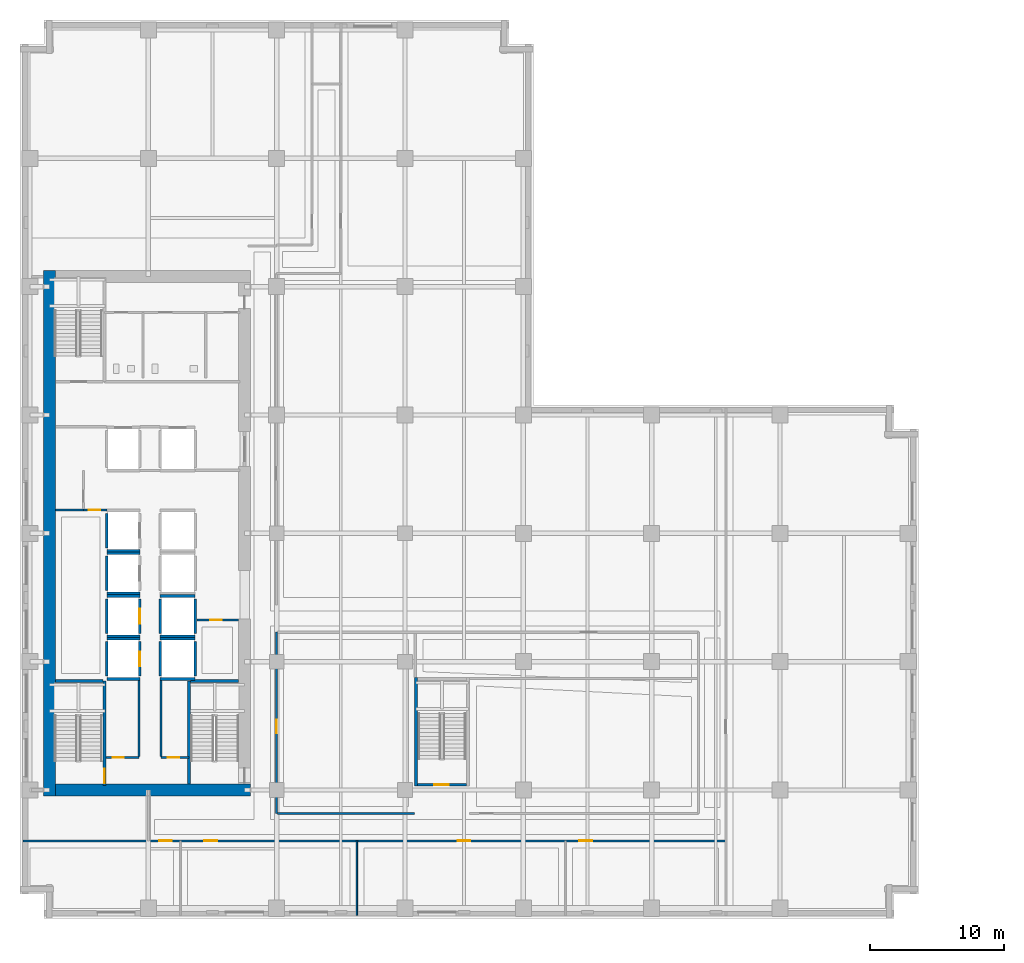
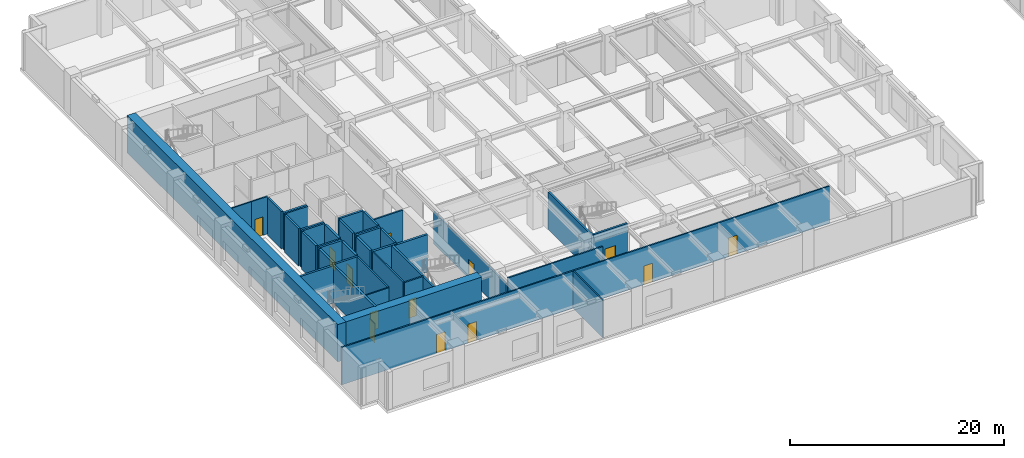
# One storey, part 5 of 24: 40 walls, 13 doors, 13 openings.
"""IFC4 building model written with IfcOpenShell, lengths in metres."""

from ifc_helpers import new_model, si_unit, direction, frame, frame_2d, origin, place, context, subcontext, project, spatial, rectangle, extrude, material, layer, layer_set, type_object, element, fill, save


model = new_model("IFC4")

# Units and contexts
model_context = context("Model", 3, precision=1e-05, world=origin(), true_north=direction((0.0, 1.0)))
body_context = subcontext(model_context, "Body", "Model", "MODEL_VIEW")
ifc_project = project(units=[si_unit("LENGTHUNIT", "METRE"), si_unit("AREAUNIT", "SQUARE_METRE"), si_unit("VOLUMEUNIT", "CUBIC_METRE"), si_unit("PLANEANGLEUNIT", "RADIAN"), si_unit("MASSUNIT", "GRAM", prefix="KILO")], contexts=[model_context])

# Site, building, storey
site_placement = place(None, origin())
site = spatial("IfcSite", under=ifc_project, at=site_placement, CompositionType="ELEMENT")
building_placement = place(site_placement, origin())
building = spatial("IfcBuilding", under=site, at=building_placement, Name="Norrvale University Quadrangle", CompositionType="ELEMENT")
storey_placement = place(building_placement, frame((0.0, 0.0, 10.39990234375)))
storey = spatial("IfcBuildingStorey", under=building, at=storey_placement, Name="L02", CompositionType="ELEMENT", Elevation=10.39990234375)

# Walls
ifc_material_1 = material(Name="Concrete C80/95", Category="concrete")
ifc_layer_1 = layer(ifc_material_1, 0.89990234375, Name="Concrete C80/95")
ifc_layer_set_1 = layer_set([ifc_layer_1], Name="Concrete C80/95")
wall_type_1 = type_object("IfcWallType", Name="Wall Core 900", PredefinedType="SHEAR", material=ifc_layer_set_1)
wall_1_placement = place(storey_placement, frame((2.64990234375, 9.60009765625, 0.0), z_axis=(0.0, 0.0, 1.0), x_axis=(1.0, 0.0, 0.0)))
element("IfcWall", 1, at=wall_1_placement, inside=storey, type_object=wall_type_1, Name="Tower Core Shear Wall L02-S", PredefinedType="SHEAR", context=body_context, shape_type="SweptSolid", body=[
    extrude(rectangle(XDim=14.60009765625, YDim=0.89990234375, at=frame_2d((7.300048828125, 0.0))), origin(), (0.0, 0.0, 1.0), 4.260009765625),
])
wall_2_placement = place(storey_placement, frame((2.199951171875, 9.14990234375, 0.0), z_axis=(0.0, 0.0, 1.0), x_axis=(0.0, 1.0, 0.0)))
element("IfcWall", 2, at=wall_2_placement, inside=storey, type_object=wall_type_1, Name="Tower Core Shear Wall L02-W", PredefinedType="SHEAR", context=body_context, shape_type="SweptSolid", body=[
    extrude(rectangle(XDim=39.300048828125, YDim=0.89990234375, at=frame_2d((19.64990234375, 0.0))), origin(), (0.0, 0.0, 1.0), 4.260009765625),
])
ifc_material_2 = material(Name="Standard Academic Gypsum Partition")
ifc_layer_2 = layer(ifc_material_2, 0.125, Name="Standard Academic Gypsum Partition")
ifc_layer_set_2 = layer_set([ifc_layer_2], Name="Standard Academic Gypsum Partition")
wall_type_2 = type_object("IfcWallType", Name="Wall Gypsum Academic 125", PredefinedType="PARTITIONING", material=ifc_layer_set_2)
wall_3_placement = place(storey_placement, frame((25.199951171875, 0.219970703125, 0.0), z_axis=(0.0, 0.0, 1.0), x_axis=(0.0, 1.0, 0.0)))
element("IfcWall", 3, at=wall_3_placement, inside=storey, type_object=wall_type_2, Name="Interior Partition WL-L02-SP02", PredefinedType="PARTITIONING", context=body_context, shape_type="SweptSolid", body=[
    extrude(rectangle(XDim=5.580078125, YDim=0.125, at=frame_2d((2.7900390625, 0.0))), origin(), (0.0, 0.0, 1.0), 4.260009765625),
])

# Wall, opening, door
ifc_material_3 = material(Name="Fire-Rated Gypsum Stud Partition")
ifc_layer_3 = layer(ifc_material_3, 0.14990234375, Name="Fire-Rated Gypsum Stud Partition")
ifc_layer_set_3 = layer_set([ifc_layer_3], Name="Fire-Rated Gypsum Stud Partition")
wall_type_3 = type_object("IfcWallType", Name="Wall Gypsum Corridor 150", PredefinedType="PARTITIONING", material=ifc_layer_set_3)
wall_4_placement = place(storey_placement, frame((6.419921875, 12.02001953125, 0.0), z_axis=(0.0, 0.0, 1.0), x_axis=(1.0, 0.0, 0.0)))
wall_4 = element("IfcWall", 4, at=wall_4_placement, inside=storey, type_object=wall_type_3, Name="Interior Partition WL-L02-SC-NL", PredefinedType="PARTITIONING", context=body_context, shape_type="SweptSolid", body=[
    extrude(rectangle(XDim=2.47998046875, YDim=0.14990234375, at=frame_2d((1.239990234375, 0.0))), origin(), (0.0, 0.0, 1.0), 4.260009765625),
])
opening_1_placement = place(wall_4_placement, frame((0.5, 0.0, 0.0)))
opening_1 = element("IfcOpeningElement", 5, at=opening_1_placement, cuts=wall_4, Name="Opening D10", PredefinedType="OPENING", context=body_context, shape_type="SweptSolid", body=[
    extrude(rectangle(XDim=0.85009765625, YDim=2.10009765625, at=frame_2d((0.425048828125, 1.050048828125))), frame((0.0, 0.0869140625, 0.0), z_axis=(0.0, -1.0, 0.0), x_axis=(1.0, 0.0, 0.0)), (0.0, 0.0, 1.0), 0.173828125),
])
ifc_material_4 = material(Name="Hollow Steel 350W Riser Fire Door", Category="steel")
door_type_1 = type_object("IfcDoorType", Name="Door Riser 850x2100", OperationType="NOTDEFINED", PredefinedType="DOOR", material=ifc_material_4)
door_1_placement = place(opening_1_placement, origin())
door_1 = element("IfcDoor", 6, at=door_1_placement, inside=storey, type_object=door_type_1, Name="Door Riser 850x2100 DR-L02-ELEC", OperationType="SINGLE_SWING_LEFT", OverallHeight=2.10009765625, OverallWidth=0.85009765625, PredefinedType="DOOR", context=body_context, shape_type="SweptSolid", body=[
    extrude(rectangle(XDim=0.85009765625, YDim=2.10009765625, at=frame_2d((0.425048828125, 1.050048828125))), frame((0.0, 0.02490234375, 0.0), z_axis=(0.0, -1.0, 0.0), x_axis=(1.0, 0.0, 0.0)), (0.0, 0.0, 1.0), 0.050048828125),
])
fill(opening_1, door_1)

wall_5_placement = place(storey_placement, frame((10.550048828125, 12.02001953125, 0.0), z_axis=(0.0, 0.0, 1.0), x_axis=(1.0, 0.0, 0.0)))
wall_5 = element("IfcWall", 7, at=wall_5_placement, inside=storey, type_object=wall_type_3, Name="Interior Partition WL-L02-SC-NR", PredefinedType="PARTITIONING", context=body_context, shape_type="SweptSolid", body=[
    extrude(rectangle(XDim=2.079833984375, YDim=0.14990234375, at=frame_2d((1.0400390625, 0.0))), origin(), (0.0, 0.0, 1.0), 4.260009765625),
])
opening_2_placement = place(wall_5_placement, frame((0.5, 0.0, 0.0)))
opening_2 = element("IfcOpeningElement", 8, at=opening_2_placement, cuts=wall_5, Name="Opening D10", PredefinedType="OPENING", context=body_context, shape_type="SweptSolid", body=[
    extrude(rectangle(XDim=0.85009765625, YDim=2.10009765625, at=frame_2d((0.425048828125, 1.050048828125))), frame((0.0, 0.0869140625, 0.0), z_axis=(0.0, -1.0, 0.0), x_axis=(1.0, 0.0, 0.0)), (0.0, 0.0, 1.0), 0.173828125),
])
door_2_placement = place(opening_2_placement, origin())
door_2 = element("IfcDoor", 9, at=door_2_placement, inside=storey, type_object=door_type_1, Name="Door Riser 850x2100 DR-L02-IDF", OperationType="SINGLE_SWING_RIGHT", OverallHeight=2.10009765625, OverallWidth=0.85009765625, PredefinedType="DOOR", context=body_context, shape_type="SweptSolid", body=[
    extrude(rectangle(XDim=0.85009765625, YDim=2.10009765625, at=frame_2d((0.425048828125, 1.050048828125))), frame((0.0, 0.02490234375, 0.0), z_axis=(0.0, -1.0, 0.0), x_axis=(1.0, 0.0, 0.0)), (0.0, 0.0, 1.0), 0.050048828125),
])
fill(opening_2, door_2)

# Walls
for number, where, z_axis, x_axis, name in (
    (10, (8.89990234375, 12.094970703125, 0.0), (0.0, 0.0, 1.0), (0.0, 1.0, 0.0), "Interior Partition WL-L02-SC-WL"),
    (11, (10.550048828125, 12.094970703125, 0.0), (0.0, 0.0, 1.0), (0.0, 1.0, 0.0), "Interior Partition WL-L02-SC-WR"),
):
    element("IfcWall", number, at=place(storey_placement, frame(where, z_axis=z_axis, x_axis=x_axis)), inside=storey, type_object=wall_type_3, Name=name, PredefinedType="PARTITIONING", context=body_context, shape_type="SweptSolid", body=[
        extrude(rectangle(XDim=5.679931640625, YDim=0.14990234375, at=frame_2d((2.83984375, 0.0))), origin(), (0.0, 0.0, 1.0), 4.260009765625),
    ])

# Wall, opening, door
wall_6_placement = place(storey_placement, frame((13.22509765625, 22.320068359375, 0.0), z_axis=(0.0, 0.0, 1.0), x_axis=(1.0, 0.0, 0.0)))
wall_6 = element("IfcWall", 12, at=wall_6_placement, inside=storey, type_object=wall_type_3, Name="Interior Partition WL-L02-JAN-N", PredefinedType="PARTITIONING", context=body_context, shape_type="SweptSolid", body=[
    extrude(rectangle(XDim=3.119873046875, YDim=0.14990234375, at=frame_2d((1.56005859375, 0.0))), origin(), (0.0, 0.0, 1.0), 4.260009765625),
])
opening_3_placement = place(wall_6_placement, frame((1.0, 0.0, 0.0)))
opening_3 = element("IfcOpeningElement", 13, at=opening_3_placement, cuts=wall_6, Name="Opening D10", PredefinedType="OPENING", context=body_context, shape_type="SweptSolid", body=[
    extrude(rectangle(XDim=0.85009765625, YDim=2.10009765625, at=frame_2d((0.425048828125, 1.050048828125))), frame((0.0, 0.0869140625, 0.0), z_axis=(0.0, -1.0, 0.0), x_axis=(1.0, 0.0, 0.0)), (0.0, 0.0, 1.0), 0.173828125),
])
door_3_placement = place(opening_3_placement, origin())
door_3 = element("IfcDoor", 14, at=door_3_placement, inside=storey, type_object=door_type_1, Name="Door Riser 850x2100 DR-L02-JAN", OperationType="SINGLE_SWING_LEFT", OverallHeight=2.10009765625, OverallWidth=0.85009765625, PredefinedType="DOOR", context=body_context, shape_type="SweptSolid", body=[
    extrude(rectangle(XDim=0.85009765625, YDim=2.10009765625, at=frame_2d((0.425048828125, 1.050048828125))), frame((0.0, 0.02490234375, 0.0), z_axis=(0.0, -1.0, 0.0), x_axis=(1.0, 0.0, 0.0)), (0.0, 0.0, 1.0), 0.050048828125),
])
fill(opening_3, door_3)

wall_7_placement = place(storey_placement, frame((4.760009765625, 30.550048828125, 0.0), z_axis=(0.0, 0.0, 1.0), x_axis=(1.0, 0.0, 0.0)))
wall_7 = element("IfcWall", 15, at=wall_7_placement, inside=storey, type_object=wall_type_3, Name="Interior Partition WL-L02-WST-N", PredefinedType="PARTITIONING", context=body_context, shape_type="SweptSolid", body=[
    extrude(rectangle(XDim=1.760009765625, YDim=0.14990234375, at=frame_2d((0.8798828125, 0.0))), origin(), (0.0, 0.0, 1.0), 4.260009765625),
])
opening_4_placement = place(wall_7_placement, frame((0.39990234375, 0.0, 0.0)))
opening_4 = element("IfcOpeningElement", 16, at=opening_4_placement, cuts=wall_7, Name="Opening D10", PredefinedType="OPENING", context=body_context, shape_type="SweptSolid", body=[
    extrude(rectangle(XDim=0.85009765625, YDim=2.10009765625, at=frame_2d((0.425048828125, 1.050048828125))), frame((0.0, 0.0869140625, 0.0), z_axis=(0.0, -1.0, 0.0), x_axis=(1.0, 0.0, 0.0)), (0.0, 0.0, 1.0), 0.173828125),
])
door_4_placement = place(opening_4_placement, origin())
door_4 = element("IfcDoor", 17, at=door_4_placement, inside=storey, type_object=door_type_1, Name="Door Riser 850x2100 DR-L02-WST", OperationType="SINGLE_SWING_RIGHT", OverallHeight=2.10009765625, OverallWidth=0.85009765625, PredefinedType="DOOR", context=body_context, shape_type="SweptSolid", body=[
    extrude(rectangle(XDim=0.85009765625, YDim=2.10009765625, at=frame_2d((0.425048828125, 1.050048828125))), frame((0.0, 0.02490234375, 0.0), z_axis=(0.0, -1.0, 0.0), x_axis=(1.0, 0.0, 0.0)), (0.0, 0.0, 1.0), 0.050048828125),
])
fill(opening_4, door_4)

# Wall
wall_8_placement = place(storey_placement, frame((2.64990234375, 30.550048828125, 0.0), z_axis=(0.0, 0.0, 1.0), x_axis=(1.0, 0.0, 0.0)))
element("IfcWall", 18, at=wall_8_placement, inside=storey, type_object=wall_type_3, Name="Interior Partition WL-L02-WST-N2", PredefinedType="PARTITIONING", context=body_context, shape_type="SweptSolid", body=[
    extrude(rectangle(XDim=2.110107421875, YDim=0.14990234375, at=frame_2d((1.05517578125, 0.0))), origin(), (0.0, 0.0, 1.0), 4.260009765625),
])

# Wall, openings, doors
wall_9_placement = place(storey_placement, frame((0.219970703125, 5.800048828125, 0.0), z_axis=(0.0, 0.0, 1.0), x_axis=(1.0, 0.0, 0.0)))
wall_9 = element("IfcWall", 19, at=wall_9_placement, inside=storey, type_object=wall_type_3, Name="Interior Partition WL-L02-SCW", PredefinedType="PARTITIONING", context=body_context, shape_type="SweptSolid", body=[
    extrude(rectangle(XDim=52.580078125, YDim=0.14990234375, at=frame_2d((26.2900390625, 0.0))), origin(), (0.0, 0.0, 1.0), 4.260009765625),
])
opening_5_placement = place(wall_9_placement, frame((10.179931640625, 0.0, 0.0)))
opening_5 = element("IfcOpeningElement", 20, at=opening_5_placement, cuts=wall_9, Name="Opening D07", PredefinedType="OPENING", context=body_context, shape_type="SweptSolid", body=[
    extrude(rectangle(XDim=0.949951171875, YDim=2.14990234375, at=frame_2d((0.47509765625, 1.074951171875))), frame((0.0, 0.0869140625, 0.0), z_axis=(0.0, -1.0, 0.0), x_axis=(1.0, 0.0, 0.0)), (0.0, 0.0, 1.0), 0.173828125),
])
opening_6_placement = place(wall_9_placement, frame((13.580078125, 0.0, 0.0)))
opening_6 = element("IfcOpeningElement", 21, at=opening_6_placement, cuts=wall_9, Name="Opening D07", PredefinedType="OPENING", context=body_context, shape_type="SweptSolid", body=[
    extrude(rectangle(XDim=0.949951171875, YDim=2.14990234375, at=frame_2d((0.47509765625, 1.074951171875))), frame((0.0, 0.0869140625, 0.0), z_axis=(0.0, -1.0, 0.0), x_axis=(1.0, 0.0, 0.0)), (0.0, 0.0, 1.0), 0.173828125),
])
opening_7_placement = place(wall_9_placement, frame((32.530029296875, 0.0, 0.0)))
opening_7 = element("IfcOpeningElement", 22, at=opening_7_placement, cuts=wall_9, Name="Opening D07", PredefinedType="OPENING", context=body_context, shape_type="SweptSolid", body=[
    extrude(rectangle(XDim=0.949951171875, YDim=2.14990234375, at=frame_2d((0.47509765625, 1.074951171875))), frame((0.0, 0.0869140625, 0.0), z_axis=(0.0, -1.0, 0.0), x_axis=(1.0, 0.0, 0.0)), (0.0, 0.0, 1.0), 0.173828125),
])
opening_8_placement = place(wall_9_placement, frame((41.6298828125, 0.0, 0.0)))
opening_8 = element("IfcOpeningElement", 23, at=opening_8_placement, cuts=wall_9, Name="Opening D07", PredefinedType="OPENING", context=body_context, shape_type="SweptSolid", body=[
    extrude(rectangle(XDim=0.949951171875, YDim=2.14990234375, at=frame_2d((0.47509765625, 1.074951171875))), frame((0.0, 0.0869140625, 0.0), z_axis=(0.0, -1.0, 0.0), x_axis=(1.0, 0.0, 0.0)), (0.0, 0.0, 1.0), 0.173828125),
])
ifc_material_5 = material(Name="Solid-Core Maple Door", Category="wood")
door_type_2 = type_object("IfcDoorType", Name="Door Office 950x2150", OperationType="NOTDEFINED", PredefinedType="DOOR", material=ifc_material_5)
door_5_placement = place(opening_5_placement, origin())
door_5 = element("IfcDoor", 24, at=door_5_placement, inside=storey, type_object=door_type_2, Name="Door Office 950x2150 DR-L02-S01", OperationType="SINGLE_SWING_LEFT", OverallHeight=2.14990234375, OverallWidth=0.949951171875, PredefinedType="DOOR", context=body_context, shape_type="SweptSolid", body=[
    extrude(rectangle(XDim=0.949951171875, YDim=2.14990234375, at=frame_2d((0.47509765625, 1.074951171875))), frame((0.0, 0.02490234375, 0.0), z_axis=(0.0, -1.0, 0.0), x_axis=(1.0, 0.0, 0.0)), (0.0, 0.0, 1.0), 0.050048828125),
])
fill(opening_5, door_5)
door_6_placement = place(opening_6_placement, origin())
door_6 = element("IfcDoor", 25, at=door_6_placement, inside=storey, type_object=door_type_2, Name="Door Office 950x2150 DR-L02-S02", OperationType="SINGLE_SWING_RIGHT", OverallHeight=2.14990234375, OverallWidth=0.949951171875, PredefinedType="DOOR", context=body_context, shape_type="SweptSolid", body=[
    extrude(rectangle(XDim=0.949951171875, YDim=2.14990234375, at=frame_2d((0.47509765625, 1.074951171875))), frame((0.0, 0.02490234375, 0.0), z_axis=(0.0, -1.0, 0.0), x_axis=(1.0, 0.0, 0.0)), (0.0, 0.0, 1.0), 0.050048828125),
])
fill(opening_6, door_6)
door_7_placement = place(opening_7_placement, origin())
door_7 = element("IfcDoor", 26, at=door_7_placement, inside=storey, type_object=door_type_2, Name="Door Office 950x2150 DR-L02-S03", OperationType="SINGLE_SWING_LEFT", OverallHeight=2.14990234375, OverallWidth=0.949951171875, PredefinedType="DOOR", context=body_context, shape_type="SweptSolid", body=[
    extrude(rectangle(XDim=0.949951171875, YDim=2.14990234375, at=frame_2d((0.47509765625, 1.074951171875))), frame((0.0, 0.02490234375, 0.0), z_axis=(0.0, -1.0, 0.0), x_axis=(1.0, 0.0, 0.0)), (0.0, 0.0, 1.0), 0.050048828125),
])
fill(opening_7, door_7)
door_8_placement = place(opening_8_placement, origin())
door_8 = element("IfcDoor", 27, at=door_8_placement, inside=storey, type_object=door_type_2, Name="Door Office 950x2150 DR-L02-S04", OperationType="SINGLE_SWING_RIGHT", OverallHeight=2.14990234375, OverallWidth=0.949951171875, PredefinedType="DOOR", context=body_context, shape_type="SweptSolid", body=[
    extrude(rectangle(XDim=0.949951171875, YDim=2.14990234375, at=frame_2d((0.47509765625, 1.074951171875))), frame((0.0, 0.02490234375, 0.0), z_axis=(0.0, -1.0, 0.0), x_axis=(1.0, 0.0, 0.0)), (0.0, 0.0, 1.0), 0.050048828125),
])
fill(opening_8, door_8)

# Wall, opening, door
wall_10_placement = place(storey_placement, frame((19.199951171875, 7.85009765625, 0.0), z_axis=(0.0, 0.0, 1.0), x_axis=(0.0, 1.0, 0.0)))
wall_10 = element("IfcWall", 28, at=wall_10_placement, inside=storey, type_object=wall_type_3, Name="Interior Partition WL-L02-ISLW", PredefinedType="PARTITIONING", context=body_context, shape_type="SweptSolid", body=[
    extrude(rectangle(XDim=13.5498046875, YDim=0.14990234375, at=frame_2d((6.77490234375, 0.0))), origin(), (0.0, 0.0, 1.0), 3.64404296875),
])
opening_9_placement = place(wall_10_placement, frame((6.0, 0.0, 0.0)))
opening_9 = element("IfcOpeningElement", 29, at=opening_9_placement, cuts=wall_10, Name="Opening D04", PredefinedType="OPENING", context=body_context, shape_type="SweptSolid", body=[
    extrude(rectangle(XDim=1.0, YDim=2.199951171875, at=frame_2d((0.5, 1.10009765625))), frame((0.0, 0.0869140625, 0.0), z_axis=(0.0, -1.0, 0.0), x_axis=(1.0, 0.0, 0.0)), (0.0, 0.0, 1.0), 0.173828125),
])
ifc_material_6 = material(Name="Solid-Core Oak Fire Door", Category="wood")
door_type_3 = type_object("IfcDoorType", Name="Door Corridor 1000x2200", OperationType="NOTDEFINED", PredefinedType="DOOR", material=ifc_material_6)
door_9_placement = place(opening_9_placement, origin())
door_9 = element("IfcDoor", 30, at=door_9_placement, inside=storey, type_object=door_type_3, Name="Door Corridor 1000x2200 DR-L02-IW1", OperationType="SINGLE_SWING_LEFT", OverallHeight=2.199951171875, OverallWidth=1.0, PredefinedType="DOOR", context=body_context, shape_type="SweptSolid", body=[
    extrude(rectangle(XDim=1.0, YDim=2.199951171875, at=frame_2d((0.5, 1.10009765625))), frame((0.0, 0.02490234375, 0.0), z_axis=(0.0, -1.0, 0.0), x_axis=(1.0, 0.0, 0.0)), (0.0, 0.0, 1.0), 0.050048828125),
])
fill(opening_9, door_9)

# Wall
wall_11_placement = place(storey_placement, frame((19.280029296875, 7.85009765625, 0.0), z_axis=(0.0, 0.0, 1.0), x_axis=(1.0, 0.0, 0.0)))
element("IfcWall", 31, at=wall_11_placement, inside=storey, type_object=wall_type_3, Name="Interior Partition WL-L02-ISLS1", PredefinedType="PARTITIONING", context=body_context, shape_type="SweptSolid", body=[
    extrude(rectangle(XDim=10.244873046875, YDim=0.14990234375, at=frame_2d((5.12255859375, 0.0))), origin(), (0.0, 0.0, 1.0), 4.260009765625),
])

# Wall, opening, door
ifc_material_7 = material(Name="Concrete Blockwork 20 MPa Fire Shaft", Category="masonry")
ifc_layer_4 = layer(ifc_material_7, 0.219970703125, Name="Concrete Blockwork 20 MPa Fire Shaft")
ifc_layer_set_4 = layer_set([ifc_layer_4], Name="Concrete Blockwork 20 MPa Fire Shaft")
wall_type_4 = type_object("IfcWallType", Name="Wall Shaft 220", PredefinedType="SOLIDWALL", material=ifc_layer_set_4)
wall_12_placement = place(storey_placement, frame((6.31005859375, 9.949951171875, 0.0), z_axis=(0.0, 0.0, 1.0), x_axis=(0.0, 1.0, 0.0)))
wall_12 = element("IfcWall", 32, at=wall_12_placement, inside=storey, type_object=wall_type_4, Name="Stair ST-01 East Shaft Wall L02", PredefinedType="SOLIDWALL", context=body_context, shape_type="SweptSolid", body=[
    extrude(rectangle(XDim=7.81005859375, YDim=0.219970703125, at=frame_2d((3.905029296875, 0.0))), origin(), (0.0, 0.0, 1.0), 4.260009765625),
])
opening_10_placement = place(wall_12_placement, frame((0.139892578125, 0.0, 0.0)))
opening_10 = element("IfcOpeningElement", 33, at=opening_10_placement, cuts=wall_12, Name="Opening D02", PredefinedType="OPENING", context=body_context, shape_type="SweptSolid", body=[
    extrude(rectangle(XDim=1.10009765625, YDim=2.199951171875, at=frame_2d((0.550048828125, 1.10009765625))), frame((0.0, 0.1220703125, 0.0), z_axis=(0.0, -1.0, 0.0), x_axis=(1.0, 0.0, 0.0)), (0.0, 0.0, 1.0), 0.243896484375),
])
ifc_material_8 = material(Name="Hollow Steel 350W Fire Door", Category="steel")
door_type_4 = type_object("IfcDoorType", Name="Door Stair Exit 1100x2200", OperationType="NOTDEFINED", PredefinedType="DOOR", material=ifc_material_8)
door_10_placement = place(opening_10_placement, origin())
door_10 = element("IfcDoor", 34, at=door_10_placement, inside=storey, type_object=door_type_4, Name="Door Stair Exit 1100x2200 DR-L02-ST01", OperationType="SINGLE_SWING_LEFT", OverallHeight=2.199951171875, OverallWidth=1.10009765625, PredefinedType="DOOR", context=body_context, shape_type="SweptSolid", body=[
    extrude(rectangle(XDim=1.10009765625, YDim=2.199951171875, at=frame_2d((0.550048828125, 1.10009765625))), frame((0.0, 0.02490234375, 0.0), z_axis=(0.0, -1.0, 0.0), x_axis=(1.0, 0.0, 0.0)), (0.0, 0.0, 1.0), 0.050048828125),
])
fill(opening_10, door_10)

# Walls
wall_13_placement = place(storey_placement, frame((2.64990234375, 17.760009765625, 0.0), z_axis=(0.0, 0.0, 1.0), x_axis=(1.0, 0.0, 0.0)))
element("IfcWall", 35, at=wall_13_placement, inside=storey, type_object=wall_type_4, Name="Stair ST-01 North Shaft Wall L02", PredefinedType="SOLIDWALL", context=body_context, shape_type="SweptSolid", body=[
    extrude(rectangle(XDim=3.550048828125, YDim=0.219970703125, at=frame_2d((1.77490234375, 0.0))), origin(), (0.0, 0.0, 1.0), 4.260009765625),
])
wall_14_placement = place(storey_placement, frame((12.639892578125, 10.050048828125, 0.0), z_axis=(0.0, 0.0, 1.0), x_axis=(0.0, 1.0, 0.0)))
element("IfcWall", 36, at=wall_14_placement, inside=storey, type_object=wall_type_4, Name="Stair ST-03 West Shaft Wall L02", PredefinedType="SOLIDWALL", context=body_context, shape_type="SweptSolid", body=[
    extrude(rectangle(XDim=7.7099609375, YDim=0.219970703125, at=frame_2d((3.85498046875, 0.0))), origin(), (0.0, 0.0, 1.0), 4.260009765625),
])
wall_15_placement = place(storey_placement, frame((12.75, 17.760009765625, 0.0), z_axis=(0.0, 0.0, 1.0), x_axis=(1.0, 0.0, 0.0)))
element("IfcWall", 37, at=wall_15_placement, inside=storey, type_object=wall_type_4, Name="Stair ST-03 North Shaft Wall L02", PredefinedType="SOLIDWALL", context=body_context, shape_type="SweptSolid", body=[
    extrude(rectangle(XDim=3.60009765625, YDim=0.219970703125, at=frame_2d((1.800048828125, 0.0))), origin(), (0.0, 0.0, 1.0), 4.260009765625),
])

# Wall, opening, door
wall_16_placement = place(storey_placement, frame((29.75, 9.989990234375, 0.0), z_axis=(0.0, 0.0, 1.0), x_axis=(1.0, 0.0, 0.0)))
wall_16 = element("IfcWall", 38, at=wall_16_placement, inside=storey, type_object=wall_type_4, Name="Stair ST-04 South Shaft Wall L02", PredefinedType="SOLIDWALL", context=body_context, shape_type="SweptSolid", body=[
    extrude(rectangle(XDim=3.64990234375, YDim=0.219970703125, at=frame_2d((1.824951171875, 0.0))), origin(), (0.0, 0.0, 1.0), 4.260009765625),
])
opening_11_placement = place(wall_16_placement, frame((1.239990234375, 0.0, 0.0)))
opening_11 = element("IfcOpeningElement", 39, at=opening_11_placement, cuts=wall_16, Name="Opening D02", PredefinedType="OPENING", context=body_context, shape_type="SweptSolid", body=[
    extrude(rectangle(XDim=1.10009765625, YDim=2.199951171875, at=frame_2d((0.550048828125, 1.10009765625))), frame((0.0, 0.1220703125, 0.0), z_axis=(0.0, -1.0, 0.0), x_axis=(1.0, 0.0, 0.0)), (0.0, 0.0, 1.0), 0.243896484375),
])
door_11_placement = place(opening_11_placement, origin())
door_11 = element("IfcDoor", 40, at=door_11_placement, inside=storey, type_object=door_type_4, Name="Door Stair Exit 1100x2200 DR-L02-ST04", OperationType="SINGLE_SWING_LEFT", OverallHeight=2.199951171875, OverallWidth=1.10009765625, PredefinedType="DOOR", context=body_context, shape_type="SweptSolid", body=[
    extrude(rectangle(XDim=1.10009765625, YDim=2.199951171875, at=frame_2d((0.550048828125, 1.10009765625))), frame((0.0, 0.02490234375, 0.0), z_axis=(0.0, -1.0, 0.0), x_axis=(1.0, 0.0, 0.0)), (0.0, 0.0, 1.0), 0.050048828125),
])
fill(opening_11, door_11)

# Walls
wall_17_placement = place(storey_placement, frame((29.639892578125, 9.8798828125, 0.0), z_axis=(0.0, 0.0, 1.0), x_axis=(0.0, 1.0, 0.0)))
element("IfcWall", 41, at=wall_17_placement, inside=storey, type_object=wall_type_4, Name="Stair ST-04 West Shaft Wall L02", PredefinedType="SOLIDWALL", context=body_context, shape_type="SweptSolid", body=[
    extrude(rectangle(XDim=8.14013671875, YDim=0.219970703125, at=frame_2d((4.070068359375, 0.0))), origin(), (0.0, 0.0, 1.0), 4.260009765625),
])
wall_18_placement = place(storey_placement, frame((6.489990234375, 18.110107421875, 0.0), z_axis=(0.0, 0.0, 1.0), x_axis=(0.0, 1.0, 0.0)))
element("IfcWall", 42, at=wall_18_placement, inside=storey, type_object=wall_type_4, Name="Hoistway PL-01 West Wall L02", PredefinedType="SOLIDWALL", context=body_context, shape_type="SweptSolid", body=[
    extrude(rectangle(XDim=2.579833984375, YDim=0.219970703125, at=frame_2d((1.2900390625, 0.0))), origin(), (0.0, 0.0, 1.0), 4.260009765625),
])

# Wall, opening, door
wall_19_placement = place(storey_placement, frame((8.9599609375, 18.110107421875, 0.0), z_axis=(0.0, 0.0, 1.0), x_axis=(0.0, 1.0, 0.0)))
wall_19 = element("IfcWall", 43, at=wall_19_placement, inside=storey, type_object=wall_type_4, Name="Hoistway PL-01 East Wall L02", PredefinedType="SOLIDWALL", context=body_context, shape_type="SweptSolid", body=[
    extrude(rectangle(XDim=2.579833984375, YDim=0.219970703125, at=frame_2d((1.2900390625, 0.0))), origin(), (0.0, 0.0, 1.0), 4.260009765625),
])
opening_12_placement = place(wall_19_placement, frame((0.739990234375, 0.0, 0.0)))
opening_12 = element("IfcOpeningElement", 44, at=opening_12_placement, cuts=wall_19, Name="Opening LD1", PredefinedType="OPENING", context=body_context, shape_type="SweptSolid", body=[
    extrude(rectangle(XDim=1.10009765625, YDim=2.199951171875, at=frame_2d((0.550048828125, 1.10009765625))), frame((0.0, 0.1220703125, 0.0), z_axis=(0.0, -1.0, 0.0), x_axis=(1.0, 0.0, 0.0)), (0.0, 0.0, 1.0), 0.243896484375),
])
ifc_material_9 = material(Name="Stainless Steel 316L Lift Landing Door", Category="steel")
door_type_5 = type_object("IfcDoorType", Name="Door Lift Landing 1100x2200", OperationType="DOUBLE_DOOR_SLIDING", PredefinedType="DOOR", material=ifc_material_9)
door_12_placement = place(opening_12_placement, origin())
door_12 = element("IfcDoor", 45, at=door_12_placement, inside=storey, type_object=door_type_5, Name="Elevator Landing Door DR-L02-PL-01", OperationType="DOUBLE_DOOR_SLIDING", OverallHeight=2.199951171875, OverallWidth=1.10009765625, PredefinedType="DOOR", context=body_context, shape_type="SweptSolid", body=[
    extrude(rectangle(XDim=1.10009765625, YDim=2.199951171875, at=frame_2d((0.550048828125, 1.10009765625))), frame((0.0, 0.02490234375, 0.0), z_axis=(0.0, -1.0, 0.0), x_axis=(1.0, 0.0, 0.0)), (0.0, 0.0, 1.0), 0.050048828125),
])
fill(opening_12, door_12)

# Walls
for number, where, z_axis, x_axis, name in (
    (46, (6.489990234375, 17.889892578125, 0.0), (0.0, 0.0, 1.0), (1.0, 0.0, 0.0), "Hoistway PL-01 South Wall L02"),
    (47, (6.489990234375, 20.909912109375, 0.0), (0.0, 0.0, 1.0), (1.0, 0.0, 0.0), "Hoistway PL-01 North Wall L02"),
):
    element("IfcWall", number, at=place(storey_placement, frame(where, z_axis=z_axis, x_axis=x_axis)), inside=storey, type_object=wall_type_4, Name=name, PredefinedType="SOLIDWALL", context=body_context, shape_type="SweptSolid", body=[
        extrude(rectangle(XDim=2.469970703125, YDim=0.219970703125, at=frame_2d((1.23486328125, 0.0))), origin(), (0.0, 0.0, 1.0), 4.260009765625),
    ])
wall_20_placement = place(storey_placement, frame((6.489990234375, 21.31005859375, 0.0), z_axis=(0.0, 0.0, 1.0), x_axis=(0.0, 1.0, 0.0)))
element("IfcWall", 48, at=wall_20_placement, inside=storey, type_object=wall_type_4, Name="Hoistway PL-02 West Wall L02", PredefinedType="SOLIDWALL", context=body_context, shape_type="SweptSolid", body=[
    extrude(rectangle(XDim=2.579833984375, YDim=0.219970703125, at=frame_2d((1.2900390625, 0.0))), origin(), (0.0, 0.0, 1.0), 4.260009765625),
])

# Wall, opening, door
wall_21_placement = place(storey_placement, frame((8.9599609375, 21.31005859375, 0.0), z_axis=(0.0, 0.0, 1.0), x_axis=(0.0, 1.0, 0.0)))
wall_21 = element("IfcWall", 49, at=wall_21_placement, inside=storey, type_object=wall_type_4, Name="Hoistway PL-02 East Wall L02", PredefinedType="SOLIDWALL", context=body_context, shape_type="SweptSolid", body=[
    extrude(rectangle(XDim=2.579833984375, YDim=0.219970703125, at=frame_2d((1.2900390625, 0.0))), origin(), (0.0, 0.0, 1.0), 4.260009765625),
])
opening_13_placement = place(wall_21_placement, frame((0.739990234375, 0.0, 0.0)))
opening_13 = element("IfcOpeningElement", 50, at=opening_13_placement, cuts=wall_21, Name="Opening LD1", PredefinedType="OPENING", context=body_context, shape_type="SweptSolid", body=[
    extrude(rectangle(XDim=1.10009765625, YDim=2.199951171875, at=frame_2d((0.550048828125, 1.10009765625))), frame((0.0, 0.1220703125, 0.0), z_axis=(0.0, -1.0, 0.0), x_axis=(1.0, 0.0, 0.0)), (0.0, 0.0, 1.0), 0.243896484375),
])
door_13_placement = place(opening_13_placement, origin())
door_13 = element("IfcDoor", 51, at=door_13_placement, inside=storey, type_object=door_type_5, Name="Elevator Landing Door DR-L02-PL-02", OperationType="DOUBLE_DOOR_SLIDING", OverallHeight=2.199951171875, OverallWidth=1.10009765625, PredefinedType="DOOR", context=body_context, shape_type="SweptSolid", body=[
    extrude(rectangle(XDim=1.10009765625, YDim=2.199951171875, at=frame_2d((0.550048828125, 1.10009765625))), frame((0.0, 0.02490234375, 0.0), z_axis=(0.0, -1.0, 0.0), x_axis=(1.0, 0.0, 0.0)), (0.0, 0.0, 1.0), 0.050048828125),
])
fill(opening_13, door_13)

# Walls
for number, where, z_axis, x_axis, name in (
    (52, (6.489990234375, 21.090087890625, 0.0), (0.0, 0.0, 1.0), (1.0, 0.0, 0.0), "Hoistway PL-02 South Wall L02"),
    (53, (6.489990234375, 24.110107421875, 0.0), (0.0, 0.0, 1.0), (1.0, 0.0, 0.0), "Hoistway PL-02 North Wall L02"),
):
    element("IfcWall", number, at=place(storey_placement, frame(where, z_axis=z_axis, x_axis=x_axis)), inside=storey, type_object=wall_type_4, Name=name, PredefinedType="SOLIDWALL", context=body_context, shape_type="SweptSolid", body=[
        extrude(rectangle(XDim=2.469970703125, YDim=0.219970703125, at=frame_2d((1.23486328125, 0.0))), origin(), (0.0, 0.0, 1.0), 4.260009765625),
    ])
wall_22_placement = place(storey_placement, frame((6.489990234375, 24.510009765625, 0.0), z_axis=(0.0, 0.0, 1.0), x_axis=(0.0, 1.0, 0.0)))
element("IfcWall", 54, at=wall_22_placement, inside=storey, type_object=wall_type_4, Name="Hoistway PL-03 West Wall L02", PredefinedType="SOLIDWALL", context=body_context, shape_type="SweptSolid", body=[
    extrude(rectangle(XDim=2.580078125, YDim=0.219970703125, at=frame_2d((1.2900390625, 0.0))), origin(), (0.0, 0.0, 1.0), 4.260009765625),
])
for number, where, z_axis, x_axis, name in (
    (55, (6.489990234375, 24.2900390625, 0.0), (0.0, 0.0, 1.0), (1.0, 0.0, 0.0), "Hoistway PL-03 South Wall L02"),
    (56, (6.489990234375, 27.31005859375, 0.0), (0.0, 0.0, 1.0), (1.0, 0.0, 0.0), "Hoistway PL-03 North Wall L02"),
):
    element("IfcWall", number, at=place(storey_placement, frame(where, z_axis=z_axis, x_axis=x_axis)), inside=storey, type_object=wall_type_4, Name=name, PredefinedType="SOLIDWALL", context=body_context, shape_type="SweptSolid", body=[
        extrude(rectangle(XDim=2.469970703125, YDim=0.219970703125, at=frame_2d((1.23486328125, 0.0))), origin(), (0.0, 0.0, 1.0), 4.260009765625),
    ])
wall_23_placement = place(storey_placement, frame((6.489990234375, 27.7099609375, 0.0), z_axis=(0.0, 0.0, 1.0), x_axis=(0.0, 1.0, 0.0)))
element("IfcWall", 57, at=wall_23_placement, inside=storey, type_object=wall_type_4, Name="Hoistway PL-04 West Wall L02", PredefinedType="SOLIDWALL", context=body_context, shape_type="SweptSolid", body=[
    extrude(rectangle(XDim=2.580078125, YDim=0.219970703125, at=frame_2d((1.2900390625, 0.0))), origin(), (0.0, 0.0, 1.0), 4.260009765625),
])
wall_24_placement = place(storey_placement, frame((6.489990234375, 27.489990234375, 0.0), z_axis=(0.0, 0.0, 1.0), x_axis=(1.0, 0.0, 0.0)))
element("IfcWall", 58, at=wall_24_placement, inside=storey, type_object=wall_type_4, Name="Hoistway PL-04 South Wall L02", PredefinedType="SOLIDWALL", context=body_context, shape_type="SweptSolid", body=[
    extrude(rectangle(XDim=2.469970703125, YDim=0.219970703125, at=frame_2d((1.23486328125, 0.0))), origin(), (0.0, 0.0, 1.0), 4.260009765625),
])
for number, where, z_axis, x_axis, name in (
    (59, (10.489990234375, 18.110107421875, 0.0), (0.0, 0.0, 1.0), (0.0, 1.0, 0.0), "Hoistway PL-05 West Wall L02"),
    (60, (13.110107421875, 18.110107421875, 0.0), (0.0, 0.0, 1.0), (0.0, 1.0, 0.0), "Hoistway PL-05 East Wall L02"),
):
    element("IfcWall", number, at=place(storey_placement, frame(where, z_axis=z_axis, x_axis=x_axis)), inside=storey, type_object=wall_type_4, Name=name, PredefinedType="SOLIDWALL", context=body_context, shape_type="SweptSolid", body=[
        extrude(rectangle(XDim=2.579833984375, YDim=0.219970703125, at=frame_2d((1.2900390625, 0.0))), origin(), (0.0, 0.0, 1.0), 4.260009765625),
    ])
for number, where, z_axis, x_axis, name in (
    (61, (10.489990234375, 17.889892578125, 0.0), (0.0, 0.0, 1.0), (1.0, 0.0, 0.0), "Hoistway PL-05 South Wall L02"),
    (62, (10.489990234375, 20.909912109375, 0.0), (0.0, 0.0, 1.0), (1.0, 0.0, 0.0), "Hoistway PL-05 North Wall L02"),
):
    element("IfcWall", number, at=place(storey_placement, frame(where, z_axis=z_axis, x_axis=x_axis)), inside=storey, type_object=wall_type_4, Name=name, PredefinedType="SOLIDWALL", context=body_context, shape_type="SweptSolid", body=[
        extrude(rectangle(XDim=2.6201171875, YDim=0.219970703125, at=frame_2d((1.31005859375, 0.0))), origin(), (0.0, 0.0, 1.0), 4.260009765625),
    ])
for number, where, z_axis, x_axis, name in (
    (63, (10.489990234375, 21.31005859375, 0.0), (0.0, 0.0, 1.0), (0.0, 1.0, 0.0), "Hoistway PL-06 West Wall L02"),
    (64, (13.110107421875, 21.31005859375, 0.0), (0.0, 0.0, 1.0), (0.0, 1.0, 0.0), "Hoistway PL-06 East Wall L02"),
):
    element("IfcWall", number, at=place(storey_placement, frame(where, z_axis=z_axis, x_axis=x_axis)), inside=storey, type_object=wall_type_4, Name=name, PredefinedType="SOLIDWALL", context=body_context, shape_type="SweptSolid", body=[
        extrude(rectangle(XDim=2.579833984375, YDim=0.219970703125, at=frame_2d((1.2900390625, 0.0))), origin(), (0.0, 0.0, 1.0), 4.260009765625),
    ])
for number, where, z_axis, x_axis, name in (
    (65, (10.489990234375, 21.090087890625, 0.0), (0.0, 0.0, 1.0), (1.0, 0.0, 0.0), "Hoistway PL-06 South Wall L02"),
    (66, (10.489990234375, 24.110107421875, 0.0), (0.0, 0.0, 1.0), (1.0, 0.0, 0.0), "Hoistway PL-06 North Wall L02"),
):
    element("IfcWall", number, at=place(storey_placement, frame(where, z_axis=z_axis, x_axis=x_axis)), inside=storey, type_object=wall_type_4, Name=name, PredefinedType="SOLIDWALL", context=body_context, shape_type="SweptSolid", body=[
        extrude(rectangle(XDim=2.6201171875, YDim=0.219970703125, at=frame_2d((1.31005859375, 0.0))), origin(), (0.0, 0.0, 1.0), 4.260009765625),
    ])

save(model, "model.ifc")
